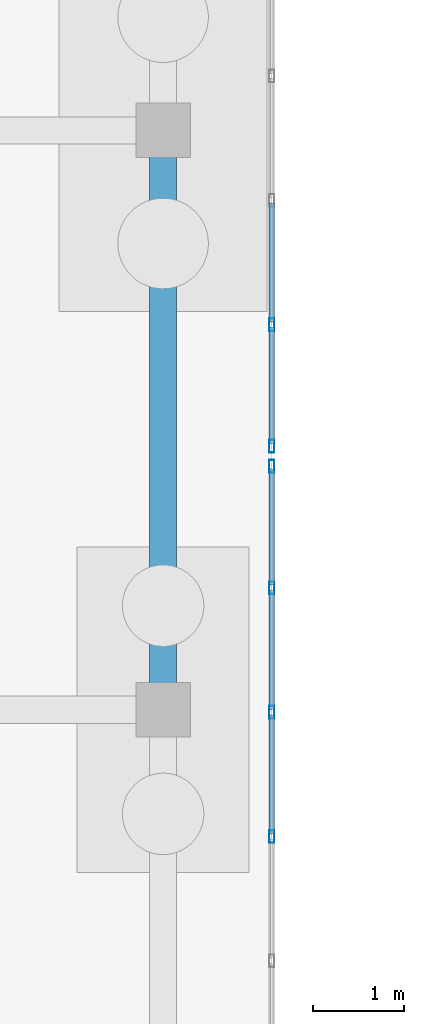
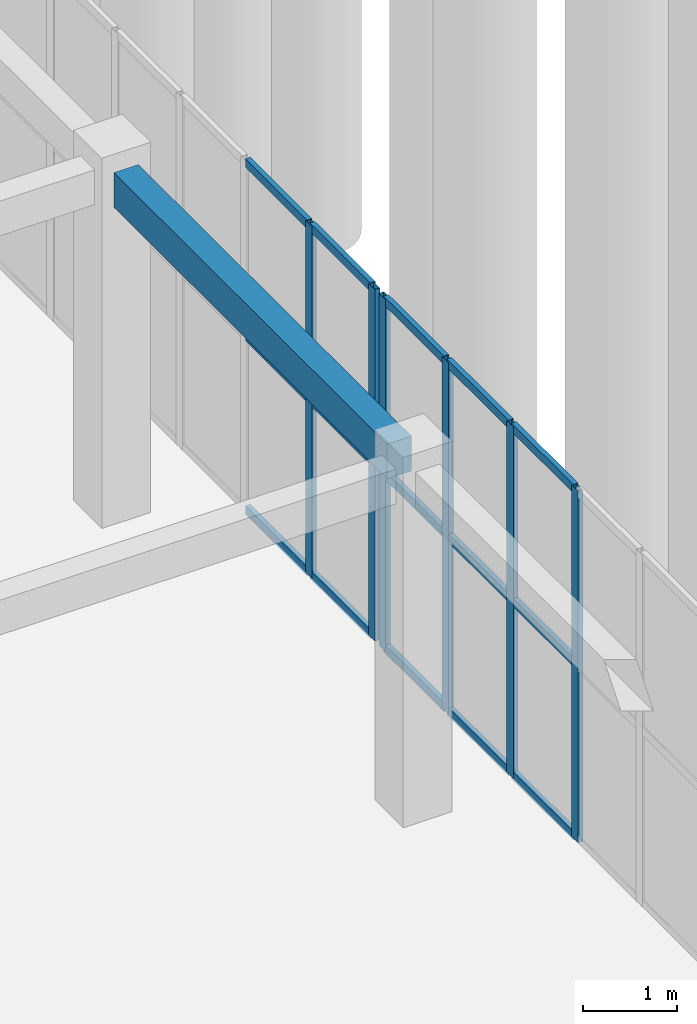
# One storey, part 112 of 192: 21 members, 1 beam, 2 elements without a shape of their own.
"""IFC4 building model written with IfcOpenShell, lengths in metres."""

from ifc_helpers import new_model, si_unit, direction, frame, origin, origin_2d, place, context, subcontext, project, spatial, rectangle, hollow_rectangle, extrude, material, layer, layer_set, material_profile, profile_set, type_object, element, aggregate, save


model = new_model("IFC4")

# Units and contexts
model_context = context("Model", 3, precision=1e-05, world=origin(), true_north=direction((0.0, 1.0)))
body_context = subcontext(model_context, "Body", "Model", "MODEL_VIEW")
ifc_project = project(units=[si_unit("LENGTHUNIT", "METRE"), si_unit("AREAUNIT", "SQUARE_METRE"), si_unit("VOLUMEUNIT", "CUBIC_METRE"), si_unit("PLANEANGLEUNIT", "RADIAN"), si_unit("MASSUNIT", "GRAM", prefix="KILO")], contexts=[model_context])

# Site, building, storey
site_placement = place(None, origin())
site = spatial("IfcSite", under=ifc_project, at=site_placement, CompositionType="ELEMENT")
building_placement = place(site_placement, origin())
building = spatial("IfcBuilding", under=site, at=building_placement, Name="Trelvath General Hospital", CompositionType="ELEMENT")
storey_placement = place(building_placement, origin())
storey = spatial("IfcBuildingStorey", under=building, at=storey_placement, Name="L00", CompositionType="ELEMENT", Elevation=0.0)

# Beam
ifc_material_1 = material(Name="Concrete C35/45", Category="concrete")
ifc_material_profile_1 = material_profile(ifc_material_1, rectangle(XDim=0.300048828125, YDim=0.449951171875, at=origin_2d()), Name="RCB300x450")
ifc_profile_set_1 = profile_set([ifc_material_profile_1], Name="Concrete C35/45")
beam_type = type_object("IfcBeamType", Name="Beam RC300x450", PredefinedType="BEAM", material=ifc_profile_set_1)
beam_placement = place(storey_placement, frame((120.0, 73.095947265625, 4.3349609375), z_axis=(0.0, 1.0, 0.0), x_axis=(-1.0, 0.0, 0.0)))
element("IfcBeam", 1, at=beam_placement, inside=storey, type_object=beam_type, Name="Cube Interior Ring Beam CUBE-E-T0 L00", PredefinedType="BEAM", context=body_context, shape_type="SweptSolid", body=[
    extrude(rectangle(XDim=0.300048828125, YDim=0.449951171875, at=origin_2d()), origin(), (0.0, 0.0, 1.0), 5.80810546875),
])

# Curtain wall, members
ifc_material_2 = material(Name="Anodised aluminium and low-E glass", Category="aluminium")
ifc_layer = layer(ifc_material_2, 0.139892578125)
ifc_layer_set = layer_set([ifc_layer], Name="Anodised aluminium and low-E glass")
curtain_wall_type = type_object("IfcCurtainWallType", Name="CW CrystalCube 824 456 14", PredefinedType="USERDEFINED", material=ifc_layer_set)
curtain_wall_1_placement = place(storey_placement, origin())
curtain_wall_1 = element("IfcCurtainWall", 2, at=curtain_wall_1_placement, inside=storey, type_object=curtain_wall_type, Name="Crystal Cube Curtain Wall CUBE-E-T0 E5 L00", ObjectType="Unitised Glazed Curtain Wall", PredefinedType="USERDEFINED")
ifc_material_3 = material(Name="Anodised aluminium", Category="aluminium")
ifc_material_profile_2 = material_profile(ifc_material_3, hollow_rectangle(XDim=0.06005859375, YDim=0.139892578125, WallThickness=0.00390625, at=origin_2d()), Name="RHS60x140x4")
ifc_profile_set_2 = profile_set([ifc_material_profile_2], Name="Anodised aluminium")
member_type_1 = type_object("IfcMemberType", Name="CurtainMullion 60x140", PredefinedType="MULLION", material=ifc_profile_set_2)
member_1_placement = place(storey_placement, frame((121.199951171875, 75.489990234375, 0.0), z_axis=(0.0, 0.0, 1.0), x_axis=(1.0, 0.0, 0.0)))
member_1 = element("IfcMember", 3, at=member_1_placement, type_object=member_type_1, Name="CW-122 mullion 1", PredefinedType="MULLION", context=body_context, shape_type="SweptSolid", body=[
    extrude(hollow_rectangle(XDim=0.06005859375, YDim=0.139892578125, WallThickness=0.00390625, at=origin_2d()), origin(), (0.0, 0.0, 1.0), 4.56005859375),
])
member_2_placement = place(storey_placement, frame((121.199951171875, 74.146728515625, 0.0), z_axis=(0.0, 0.0, 1.0), x_axis=(1.0, 0.0, 0.0)))
member_2 = element("IfcMember", 4, at=member_2_placement, type_object=member_type_1, Name="CW-122 mullion 2", PredefinedType="MULLION", context=body_context, shape_type="SweptSolid", body=[
    extrude(hollow_rectangle(XDim=0.06005859375, YDim=0.139892578125, WallThickness=0.00390625, at=origin_2d()), origin(), (0.0, 0.0, 1.0), 4.56005859375),
])
member_3_placement = place(storey_placement, frame((121.199951171875, 72.7734375, 0.0), z_axis=(0.0, 0.0, 1.0), x_axis=(1.0, 0.0, 0.0)))
member_3 = element("IfcMember", 5, at=member_3_placement, type_object=member_type_1, Name="CW-122 mullion 3", PredefinedType="MULLION", context=body_context, shape_type="SweptSolid", body=[
    extrude(hollow_rectangle(XDim=0.06005859375, YDim=0.139892578125, WallThickness=0.00390625, at=origin_2d()), origin(), (0.0, 0.0, 1.0), 4.56005859375),
])
member_4_placement = place(storey_placement, frame((121.199951171875, 71.39990234375, 0.0), z_axis=(0.0, 0.0, 1.0), x_axis=(1.0, 0.0, 0.0)))
member_4 = element("IfcMember", 6, at=member_4_placement, type_object=member_type_1, Name="CW-122 mullion 4", PredefinedType="MULLION", context=body_context, shape_type="SweptSolid", body=[
    extrude(hollow_rectangle(XDim=0.06005859375, YDim=0.139892578125, WallThickness=0.00390625, at=origin_2d()), origin(), (0.0, 0.0, 1.0), 4.56005859375),
])

curtain_wall_2_placement = place(storey_placement, origin())
curtain_wall_2 = element("IfcCurtainWall", 7, at=curtain_wall_2_placement, inside=storey, type_object=curtain_wall_type, Name="Crystal Cube Curtain Wall CUBE-E-T0 E6 L00", ObjectType="Unitised Glazed Curtain Wall", PredefinedType="USERDEFINED")
member_5_placement = place(storey_placement, frame((121.199951171875, 77.05322265625, 0.0), z_axis=(0.0, 0.0, 1.0), x_axis=(1.0, 0.0, 0.0)))
member_5 = element("IfcMember", 8, at=member_5_placement, type_object=member_type_1, Name="CW-124 mullion 6", PredefinedType="MULLION", context=body_context, shape_type="SweptSolid", body=[
    extrude(hollow_rectangle(XDim=0.06005859375, YDim=0.139892578125, WallThickness=0.00390625, at=origin_2d()), origin(), (0.0, 0.0, 1.0), 4.56005859375),
])
member_6_placement = place(storey_placement, frame((121.199951171875, 75.7099609375, 0.0), z_axis=(0.0, 0.0, 1.0), x_axis=(1.0, 0.0, 0.0)))
member_6 = element("IfcMember", 9, at=member_6_placement, type_object=member_type_1, Name="CW-124 mullion 7", PredefinedType="MULLION", context=body_context, shape_type="SweptSolid", body=[
    extrude(hollow_rectangle(XDim=0.06005859375, YDim=0.139892578125, WallThickness=0.00390625, at=origin_2d()), origin(), (0.0, 0.0, 1.0), 4.56005859375),
])

# Member
ifc_material_4 = material(Name="Anodised aluminium", Category="aluminium")
ifc_material_profile_3 = material_profile(ifc_material_4, hollow_rectangle(XDim=0.06005859375, YDim=0.110107421875, WallThickness=0.00390625, at=origin_2d()), Name="RHS60x110x4")
ifc_profile_set_3 = profile_set([ifc_material_profile_3], Name="Anodised aluminium")
member_type_2 = type_object("IfcMemberType", Name="CurtainTransom 60x110", PredefinedType="USERDEFINED", material=ifc_profile_set_3)
member_7_placement = place(storey_placement, frame((121.199951171875, 75.4599609375, 0.030029296875), z_axis=(0.0, -1.0, 0.0), x_axis=(1.0, 0.0, 0.0)))
member_7 = element("IfcMember", 10, at=member_7_placement, type_object=member_type_2, Name="CW-122 transom 1.1", ObjectType="TRANSOM", PredefinedType="USERDEFINED", context=body_context, shape_type="SweptSolid", body=[
    extrude(hollow_rectangle(XDim=0.06005859375, YDim=0.110107421875, WallThickness=0.00390625, at=origin_2d()), origin(), (0.0, 0.0, 1.0), 1.283203125),
])

member_8_placement = place(storey_placement, frame((121.199951171875, 75.4599609375, 2.280029296875), z_axis=(0.0, -1.0, 0.0), x_axis=(1.0, 0.0, 0.0)))
member_8 = element("IfcMember", 11, at=member_8_placement, type_object=member_type_2, Name="CW-122 transom 1.2", ObjectType="TRANSOM", PredefinedType="USERDEFINED", context=body_context, shape_type="SweptSolid", body=[
    extrude(hollow_rectangle(XDim=0.06005859375, YDim=0.110107421875, WallThickness=0.00390625, at=origin_2d()), origin(), (0.0, 0.0, 1.0), 1.283203125),
])

member_9_placement = place(storey_placement, frame((121.199951171875, 75.4599609375, 4.530029296875), z_axis=(0.0, -1.0, 0.0), x_axis=(1.0, 0.0, 0.0)))
member_9 = element("IfcMember", 12, at=member_9_placement, type_object=member_type_2, Name="CW-122 transom 1.3", ObjectType="TRANSOM", PredefinedType="USERDEFINED", context=body_context, shape_type="SweptSolid", body=[
    extrude(hollow_rectangle(XDim=0.06005859375, YDim=0.110107421875, WallThickness=0.00390625, at=origin_2d()), origin(), (0.0, 0.0, 1.0), 1.283203125),
])

member_10_placement = place(storey_placement, frame((121.199951171875, 74.11669921875, 0.030029296875), z_axis=(0.0, -1.0, 0.0), x_axis=(1.0, 0.0, 0.0)))
member_10 = element("IfcMember", 13, at=member_10_placement, type_object=member_type_2, Name="CW-122 transom 2.1", ObjectType="TRANSOM", PredefinedType="USERDEFINED", context=body_context, shape_type="SweptSolid", body=[
    extrude(hollow_rectangle(XDim=0.06005859375, YDim=0.110107421875, WallThickness=0.00390625, at=origin_2d()), origin(), (0.0, 0.0, 1.0), 1.3134765625),
])

member_11_placement = place(storey_placement, frame((121.199951171875, 74.11669921875, 2.280029296875), z_axis=(0.0, -1.0, 0.0), x_axis=(1.0, 0.0, 0.0)))
member_11 = element("IfcMember", 14, at=member_11_placement, type_object=member_type_2, Name="CW-122 transom 2.2", ObjectType="TRANSOM", PredefinedType="USERDEFINED", context=body_context, shape_type="SweptSolid", body=[
    extrude(hollow_rectangle(XDim=0.06005859375, YDim=0.110107421875, WallThickness=0.00390625, at=origin_2d()), origin(), (0.0, 0.0, 1.0), 1.3134765625),
])

member_12_placement = place(storey_placement, frame((121.199951171875, 74.11669921875, 4.530029296875), z_axis=(0.0, -1.0, 0.0), x_axis=(1.0, 0.0, 0.0)))
member_12 = element("IfcMember", 15, at=member_12_placement, type_object=member_type_2, Name="CW-122 transom 2.3", ObjectType="TRANSOM", PredefinedType="USERDEFINED", context=body_context, shape_type="SweptSolid", body=[
    extrude(hollow_rectangle(XDim=0.06005859375, YDim=0.110107421875, WallThickness=0.00390625, at=origin_2d()), origin(), (0.0, 0.0, 1.0), 1.3134765625),
])

member_13_placement = place(storey_placement, frame((121.199951171875, 72.743408203125, 0.030029296875), z_axis=(0.0, -1.0, 0.0), x_axis=(1.0, 0.0, 0.0)))
member_13 = element("IfcMember", 16, at=member_13_placement, type_object=member_type_2, Name="CW-122 transom 3.1", ObjectType="TRANSOM", PredefinedType="USERDEFINED", context=body_context, shape_type="SweptSolid", body=[
    extrude(hollow_rectangle(XDim=0.06005859375, YDim=0.110107421875, WallThickness=0.00390625, at=origin_2d()), origin(), (0.0, 0.0, 1.0), 1.3134765625),
])

member_14_placement = place(storey_placement, frame((121.199951171875, 72.743408203125, 2.280029296875), z_axis=(0.0, -1.0, 0.0), x_axis=(1.0, 0.0, 0.0)))
member_14 = element("IfcMember", 17, at=member_14_placement, type_object=member_type_2, Name="CW-122 transom 3.2", ObjectType="TRANSOM", PredefinedType="USERDEFINED", context=body_context, shape_type="SweptSolid", body=[
    extrude(hollow_rectangle(XDim=0.06005859375, YDim=0.110107421875, WallThickness=0.00390625, at=origin_2d()), origin(), (0.0, 0.0, 1.0), 1.3134765625),
])

member_15_placement = place(storey_placement, frame((121.199951171875, 72.743408203125, 4.530029296875), z_axis=(0.0, -1.0, 0.0), x_axis=(1.0, 0.0, 0.0)))
member_15 = element("IfcMember", 18, at=member_15_placement, type_object=member_type_2, Name="CW-122 transom 3.3", ObjectType="TRANSOM", PredefinedType="USERDEFINED", context=body_context, shape_type="SweptSolid", body=[
    extrude(hollow_rectangle(XDim=0.06005859375, YDim=0.110107421875, WallThickness=0.00390625, at=origin_2d()), origin(), (0.0, 0.0, 1.0), 1.3134765625),
])

aggregate(curtain_wall_1, [member_1, member_2, member_3, member_4, member_7, member_8, member_9, member_10, member_11, member_12, member_13, member_14, member_15])

member_16_placement = place(storey_placement, frame((121.199951171875, 78.396728515625, 0.030029296875), z_axis=(0.0, -1.0, 0.0), x_axis=(1.0, 0.0, 0.0)))
member_16 = element("IfcMember", 19, at=member_16_placement, type_object=member_type_2, Name="CW-124 transom 5.1", ObjectType="TRANSOM", PredefinedType="USERDEFINED", context=body_context, shape_type="SweptSolid", body=[
    extrude(hollow_rectangle(XDim=0.06005859375, YDim=0.110107421875, WallThickness=0.00390625, at=origin_2d()), origin(), (0.0, 0.0, 1.0), 1.3134765625),
])

member_17_placement = place(storey_placement, frame((121.199951171875, 78.396728515625, 2.280029296875), z_axis=(0.0, -1.0, 0.0), x_axis=(1.0, 0.0, 0.0)))
member_17 = element("IfcMember", 20, at=member_17_placement, type_object=member_type_2, Name="CW-124 transom 5.2", ObjectType="TRANSOM", PredefinedType="USERDEFINED", context=body_context, shape_type="SweptSolid", body=[
    extrude(hollow_rectangle(XDim=0.06005859375, YDim=0.110107421875, WallThickness=0.00390625, at=origin_2d()), origin(), (0.0, 0.0, 1.0), 1.3134765625),
])

member_18_placement = place(storey_placement, frame((121.199951171875, 78.396728515625, 4.530029296875), z_axis=(0.0, -1.0, 0.0), x_axis=(1.0, 0.0, 0.0)))
member_18 = element("IfcMember", 21, at=member_18_placement, type_object=member_type_2, Name="CW-124 transom 5.3", ObjectType="TRANSOM", PredefinedType="USERDEFINED", context=body_context, shape_type="SweptSolid", body=[
    extrude(hollow_rectangle(XDim=0.06005859375, YDim=0.110107421875, WallThickness=0.00390625, at=origin_2d()), origin(), (0.0, 0.0, 1.0), 1.3134765625),
])

member_19_placement = place(storey_placement, frame((121.199951171875, 77.0234375, 0.030029296875), z_axis=(0.0, -1.0, 0.0), x_axis=(1.0, 0.0, 0.0)))
member_19 = element("IfcMember", 22, at=member_19_placement, type_object=member_type_2, Name="CW-124 transom 6.1", ObjectType="TRANSOM", PredefinedType="USERDEFINED", context=body_context, shape_type="SweptSolid", body=[
    extrude(hollow_rectangle(XDim=0.06005859375, YDim=0.110107421875, WallThickness=0.00390625, at=origin_2d()), origin(), (0.0, 0.0, 1.0), 1.283447265625),
])

member_20_placement = place(storey_placement, frame((121.199951171875, 77.0234375, 2.280029296875), z_axis=(0.0, -1.0, 0.0), x_axis=(1.0, 0.0, 0.0)))
member_20 = element("IfcMember", 23, at=member_20_placement, type_object=member_type_2, Name="CW-124 transom 6.2", ObjectType="TRANSOM", PredefinedType="USERDEFINED", context=body_context, shape_type="SweptSolid", body=[
    extrude(hollow_rectangle(XDim=0.06005859375, YDim=0.110107421875, WallThickness=0.00390625, at=origin_2d()), origin(), (0.0, 0.0, 1.0), 1.283447265625),
])

member_21_placement = place(storey_placement, frame((121.199951171875, 77.0234375, 4.530029296875), z_axis=(0.0, -1.0, 0.0), x_axis=(1.0, 0.0, 0.0)))
member_21 = element("IfcMember", 24, at=member_21_placement, type_object=member_type_2, Name="CW-124 transom 6.3", ObjectType="TRANSOM", PredefinedType="USERDEFINED", context=body_context, shape_type="SweptSolid", body=[
    extrude(hollow_rectangle(XDim=0.06005859375, YDim=0.110107421875, WallThickness=0.00390625, at=origin_2d()), origin(), (0.0, 0.0, 1.0), 1.283447265625),
])

aggregate(curtain_wall_2, [member_5, member_6, member_16, member_17, member_18, member_19, member_20, member_21])

save(model, "model.ifc")
